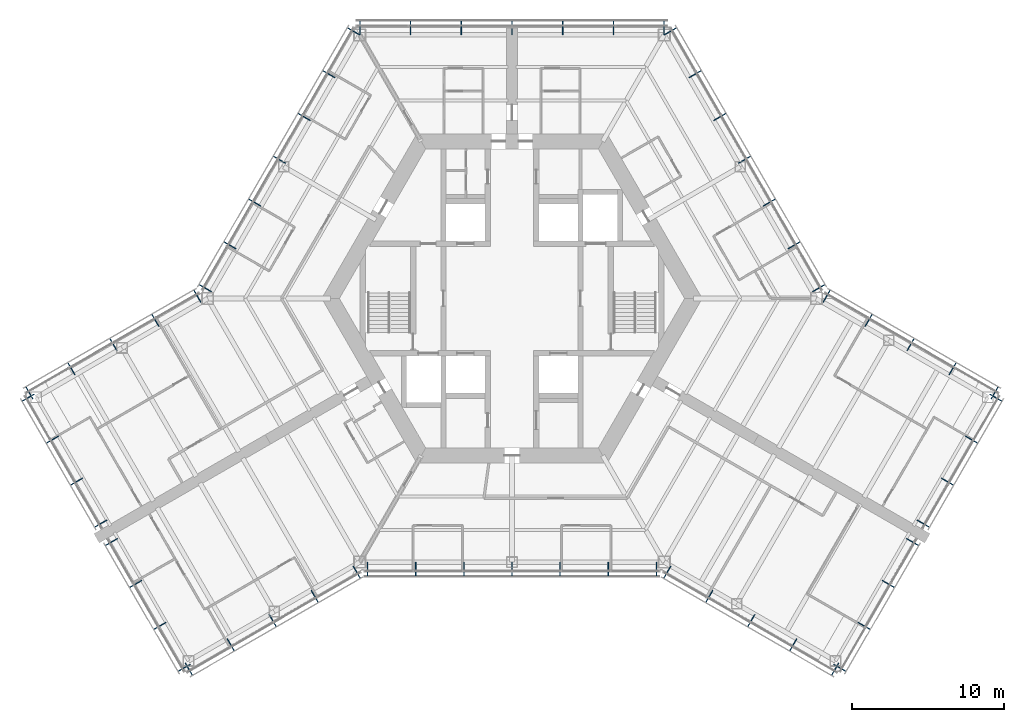
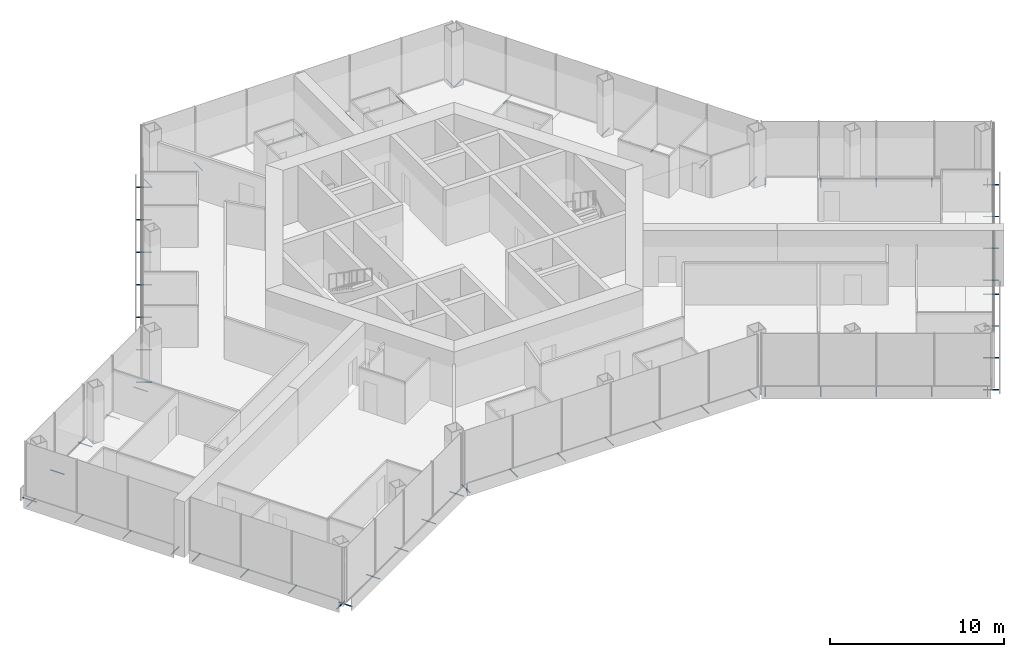
# One storey, part 16 of 18: 64 discrete accessories.
"""IFC4 building model written with IfcOpenShell, lengths in metres."""

from ifc_helpers import new_model, si_unit, direction, frame, origin, origin_2d, place, context, subcontext, project, spatial, hollow_circle, extrude, material, material_profile, profile_set, type_object, element, save


model = new_model("IFC4")

# Units and contexts
model_context = context("Model", 3, precision=1e-05, world=origin(), true_north=direction((0.0, 1.0)))
body_context = subcontext(model_context, "Body", "Model", "MODEL_VIEW")
ifc_project = project(units=[si_unit("LENGTHUNIT", "METRE"), si_unit("AREAUNIT", "SQUARE_METRE"), si_unit("VOLUMEUNIT", "CUBIC_METRE"), si_unit("PLANEANGLEUNIT", "RADIAN"), si_unit("MASSUNIT", "GRAM", prefix="KILO")], contexts=[model_context])

# Site, building, storey
site_placement = place(None, origin())
site = spatial("IfcSite", under=ifc_project, at=site_placement, CompositionType="ELEMENT")
building_placement = place(site_placement, origin())
building = spatial("IfcBuilding", under=site, at=building_placement, Name="Kasaneha Research Tower", CompositionType="ELEMENT")
storey_placement = place(building_placement, frame((0.0, 0.0, 187.699951171875)))
storey = spatial("IfcBuildingStorey", under=building, at=storey_placement, Name="L47", CompositionType="ELEMENT", Elevation=187.699951171875)

# Discrete accessories
ifc_material = material(Name="Steel STK400", Category="steel")
ifc_material_profile = material_profile(ifc_material, hollow_circle(Radius=0.0380859375, WallThickness=0.00390625, at=origin_2d()), Name="CHS-76.3x4.0")
ifc_profile_set = profile_set([ifc_material_profile], Name="Steel STK400")
discrete_accessory_type = type_object("IfcDiscreteAccessoryType", Name="Screen bracket CHS-76.3x4.0", PredefinedType="BRACKET", material=ifc_profile_set)
for number, where, z_axis, x_axis, name in (
    (1, (-9.4892578125, -17.320556640625, -0.300048828125), (0.0, -1.0, 0.0), (1.0, 0.0, 0.0), "Screen bracket 1"),
    (2, (-6.326171875, -17.320556640625, -0.300048828125), (0.0, -1.0, 0.0), (1.0, 0.0, 0.0), "Screen bracket 2"),
    (3, (-3.1630859375, -17.320556640625, -0.300048828125), (0.0, -1.0, 0.0), (1.0, 0.0, 0.0), "Screen bracket 3"),
    (4, (0.0, -17.320556640625, -0.300048828125), (0.0, -1.0, 0.0), (1.0, 0.0, 0.0), "Screen bracket 4"),
    (5, (3.1630859375, -17.320556640625, -0.300048828125), (0.0, -1.0, 0.0), (1.0, 0.0, 0.0), "Screen bracket 5"),
    (6, (6.326171875, -17.320556640625, -0.300048828125), (0.0, -1.0, 0.0), (1.0, 0.0, 0.0), "Screen bracket 6"),
    (7, (9.4892578125, -17.320556640625, -0.300048828125), (0.0, -1.0, 0.0), (1.0, 0.0, 0.0), "Screen bracket 7"),
    (8, (10.4423828125, -17.575927734375, -0.300048828125), (-0.500021113727, -0.866013213425, 0.0), (0.866013213425, -0.500021113727, 0.0), "Screen bracket 1"),
):
    element("IfcDiscreteAccessory", number, at=place(storey_placement, frame(where, z_axis=z_axis, x_axis=x_axis)), inside=storey, type_object=discrete_accessory_type, Name=name, PredefinedType="BRACKET", context=body_context, shape_type="SweptSolid", body=[
        extrude(hollow_circle(Radius=0.0380859375, WallThickness=0.00390625, at=origin_2d()), origin(), (0.0, 0.0, 1.0), 0.919921875),
    ])
discrete_accessory_1_placement = place(storey_placement, frame((13.200439453125, -19.168212890625, -0.300048828125), z_axis=(-0.499906209203, -0.866079547155, 0.0), x_axis=(0.866079547155, -0.499906209203, 0.0)))
element("IfcDiscreteAccessory", 9, at=discrete_accessory_1_placement, inside=storey, type_object=discrete_accessory_type, Name="Screen bracket 2", PredefinedType="BRACKET", context=body_context, shape_type="SweptSolid", body=[
    extrude(hollow_circle(Radius=0.0380859375, WallThickness=0.00390625, at=origin_2d()), origin(), (0.0, 0.0, 1.0), 0.920166015625),
])
discrete_accessory_2_placement = place(storey_placement, frame((15.95849609375, -20.7607421875, -0.300048828125), z_axis=(-0.500021113727, -0.866013213425, 0.0), x_axis=(0.866013213425, -0.500021113727, 0.0)))
element("IfcDiscreteAccessory", 10, at=discrete_accessory_2_placement, inside=storey, type_object=discrete_accessory_type, Name="Screen bracket 3", PredefinedType="BRACKET", context=body_context, shape_type="SweptSolid", body=[
    extrude(hollow_circle(Radius=0.0380859375, WallThickness=0.00390625, at=origin_2d()), origin(), (0.0, 0.0, 1.0), 0.919921875),
])
discrete_accessory_3_placement = place(storey_placement, frame((18.716796875, -22.35302734375, -0.300048828125), z_axis=(-0.500105201737, -0.865964657013, 0.0), x_axis=(0.865964657013, -0.500105201737, 0.0)))
element("IfcDiscreteAccessory", 11, at=discrete_accessory_3_placement, inside=storey, type_object=discrete_accessory_type, Name="Screen bracket 4", PredefinedType="BRACKET", context=body_context, shape_type="SweptSolid", body=[
    extrude(hollow_circle(Radius=0.0380859375, WallThickness=0.00390625, at=origin_2d()), origin(), (0.0, 0.0, 1.0), 0.920166015625),
])
discrete_accessory_4_placement = place(storey_placement, frame((21.474853515625, -23.945556640625, -0.300048828125), z_axis=(-0.500021113727, -0.866013213425, 0.0), x_axis=(0.866013213425, -0.500021113727, 0.0)))
element("IfcDiscreteAccessory", 12, at=discrete_accessory_4_placement, inside=storey, type_object=discrete_accessory_type, Name="Screen bracket 5", PredefinedType="BRACKET", context=body_context, shape_type="SweptSolid", body=[
    extrude(hollow_circle(Radius=0.0380859375, WallThickness=0.00390625, at=origin_2d()), origin(), (0.0, 0.0, 1.0), 0.919921875),
])
discrete_accessory_5_placement = place(storey_placement, frame((21.13330078125, -24.037109375, -0.300048828125), z_axis=(0.866079547155, -0.499906209203, 0.0), x_axis=(0.499906209203, 0.866079547155, 0.0)))
element("IfcDiscreteAccessory", 13, at=discrete_accessory_5_placement, inside=storey, type_object=discrete_accessory_type, Name="Screen bracket 1", PredefinedType="BRACKET", context=body_context, shape_type="SweptSolid", body=[
    extrude(hollow_circle(Radius=0.0380859375, WallThickness=0.00390625, at=origin_2d()), origin(), (0.0, 0.0, 1.0), 0.920166015625),
])
discrete_accessory_6_placement = place(storey_placement, frame((22.72509765625, -21.2802734375, -0.300048828125), z_axis=(0.866013213425, -0.500021113727, 0.0), x_axis=(0.500021113727, 0.866013213425, 0.0)))
element("IfcDiscreteAccessory", 14, at=discrete_accessory_6_placement, inside=storey, type_object=discrete_accessory_type, Name="Screen bracket 2", PredefinedType="BRACKET", context=body_context, shape_type="SweptSolid", body=[
    extrude(hollow_circle(Radius=0.0380859375, WallThickness=0.00390625, at=origin_2d()), origin(), (0.0, 0.0, 1.0), 0.919921875),
])
discrete_accessory_7_placement = place(storey_placement, frame((24.316650390625, -18.5234375, -0.300048828125), z_axis=(0.866079547155, -0.499906209203, 0.0), x_axis=(0.499906209203, 0.866079547155, 0.0)))
element("IfcDiscreteAccessory", 15, at=discrete_accessory_7_placement, inside=storey, type_object=discrete_accessory_type, Name="Screen bracket 3", PredefinedType="BRACKET", context=body_context, shape_type="SweptSolid", body=[
    extrude(hollow_circle(Radius=0.0380859375, WallThickness=0.00390625, at=origin_2d()), origin(), (0.0, 0.0, 1.0), 0.920166015625),
])
for number, where, z_axis, x_axis, name in (
    (16, (25.908447265625, -15.766357421875, -0.300048828125), (0.865898279276, -0.500220121494, 0.0), (0.500220121494, 0.865898279276, 0.0), "Screen bracket 4"),
    (17, (26.6083984375, -14.553955078125, -0.300048828125), (0.866013213425, -0.500021113727, 0.0), (0.500021113727, 0.866013213425, 0.0), "Screen bracket 1"),
):
    element("IfcDiscreteAccessory", number, at=place(storey_placement, frame(where, z_axis=z_axis, x_axis=x_axis)), inside=storey, type_object=discrete_accessory_type, Name=name, PredefinedType="BRACKET", context=body_context, shape_type="SweptSolid", body=[
        extrude(hollow_circle(Radius=0.0380859375, WallThickness=0.00390625, at=origin_2d()), origin(), (0.0, 0.0, 1.0), 0.919921875),
    ])
discrete_accessory_8_placement = place(storey_placement, frame((28.199951171875, -11.797119140625, -0.300048828125), z_axis=(0.866079547155, -0.499906209203, 0.0), x_axis=(0.499906209203, 0.866079547155, 0.0)))
element("IfcDiscreteAccessory", 18, at=discrete_accessory_8_placement, inside=storey, type_object=discrete_accessory_type, Name="Screen bracket 2", PredefinedType="BRACKET", context=body_context, shape_type="SweptSolid", body=[
    extrude(hollow_circle(Radius=0.0380859375, WallThickness=0.00390625, at=origin_2d()), origin(), (0.0, 0.0, 1.0), 0.920166015625),
])
discrete_accessory_9_placement = place(storey_placement, frame((29.791748046875, -9.040283203125, -0.300048828125), z_axis=(0.866013213425, -0.500021113727, 0.0), x_axis=(0.500021113727, 0.866013213425, 0.0)))
element("IfcDiscreteAccessory", 19, at=discrete_accessory_9_placement, inside=storey, type_object=discrete_accessory_type, Name="Screen bracket 3", PredefinedType="BRACKET", context=body_context, shape_type="SweptSolid", body=[
    extrude(hollow_circle(Radius=0.0380859375, WallThickness=0.00390625, at=origin_2d()), origin(), (0.0, 0.0, 1.0), 0.919921875),
])
discrete_accessory_10_placement = place(storey_placement, frame((31.38330078125, -6.283447265625, -0.300048828125), z_axis=(0.866079547155, -0.499906209203, 0.0), x_axis=(0.499906209203, 0.866079547155, 0.0)))
element("IfcDiscreteAccessory", 20, at=discrete_accessory_10_placement, inside=storey, type_object=discrete_accessory_type, Name="Screen bracket 4", PredefinedType="BRACKET", context=body_context, shape_type="SweptSolid", body=[
    extrude(hollow_circle(Radius=0.0380859375, WallThickness=0.00390625, at=origin_2d()), origin(), (0.0, 0.0, 1.0), 0.920166015625),
])
discrete_accessory_11_placement = place(storey_placement, frame((31.474853515625, -6.625, -0.300048828125), z_axis=(0.500021113727, 0.866013213425, 0.0), x_axis=(-0.866013213425, 0.500021113727, 0.0)))
element("IfcDiscreteAccessory", 21, at=discrete_accessory_11_placement, inside=storey, type_object=discrete_accessory_type, Name="Screen bracket 1", PredefinedType="BRACKET", context=body_context, shape_type="SweptSolid", body=[
    extrude(hollow_circle(Radius=0.0380859375, WallThickness=0.00390625, at=origin_2d()), origin(), (0.0, 0.0, 1.0), 0.919921875),
])
discrete_accessory_12_placement = place(storey_placement, frame((28.716796875, -5.03271484375, -0.300048828125), z_axis=(0.499906209203, 0.866079547155, 0.0), x_axis=(-0.866079547155, 0.499906209203, 0.0)))
element("IfcDiscreteAccessory", 22, at=discrete_accessory_12_placement, inside=storey, type_object=discrete_accessory_type, Name="Screen bracket 2", PredefinedType="BRACKET", context=body_context, shape_type="SweptSolid", body=[
    extrude(hollow_circle(Radius=0.0380859375, WallThickness=0.00390625, at=origin_2d()), origin(), (0.0, 0.0, 1.0), 0.920166015625),
])
discrete_accessory_13_placement = place(storey_placement, frame((25.95849609375, -3.440185546875, -0.300048828125), z_axis=(0.500220121494, 0.865898279276, 0.0), x_axis=(-0.865898279276, 0.500220121494, 0.0)))
element("IfcDiscreteAccessory", 23, at=discrete_accessory_13_placement, inside=storey, type_object=discrete_accessory_type, Name="Screen bracket 3", PredefinedType="BRACKET", context=body_context, shape_type="SweptSolid", body=[
    extrude(hollow_circle(Radius=0.0380859375, WallThickness=0.00390625, at=origin_2d()), origin(), (0.0, 0.0, 1.0), 0.919921875),
])
discrete_accessory_14_placement = place(storey_placement, frame((23.200439453125, -1.847900390625, -0.300048828125), z_axis=(0.499906209203, 0.866079547155, 0.0), x_axis=(-0.866079547155, 0.499906209203, 0.0)))
element("IfcDiscreteAccessory", 24, at=discrete_accessory_14_placement, inside=storey, type_object=discrete_accessory_type, Name="Screen bracket 4", PredefinedType="BRACKET", context=body_context, shape_type="SweptSolid", body=[
    extrude(hollow_circle(Radius=0.0380859375, WallThickness=0.00390625, at=origin_2d()), origin(), (0.0, 0.0, 1.0), 0.920166015625),
])
for number, where, z_axis, x_axis, name in (
    (25, (20.4423828125, -0.25537109375, -0.300048828125), (0.500021113727, 0.866013213425, 0.0), (-0.866013213425, 0.500021113727, 0.0), "Screen bracket 5"),
    (26, (19.74462890625, 0.4423828125, -0.300048828125), (0.866013213425, 0.500021113727, 0.0), (-0.500021113727, 0.866013213425, 0.0), "Screen bracket 1"),
    (27, (18.120849609375, 3.2548828125, -0.300048828125), (0.866013213425, 0.500021113727, 0.0), (-0.500021113727, 0.866013213425, 0.0), "Screen bracket 2"),
    (28, (16.4970703125, 6.0673828125, -0.300048828125), (0.866013213425, 0.500021113727, 0.0), (-0.500021113727, 0.866013213425, 0.0), "Screen bracket 3"),
    (29, (14.873291015625, 8.8798828125, -0.300048828125), (0.866013213425, 0.500021113727, 0.0), (-0.500021113727, 0.866013213425, 0.0), "Screen bracket 4"),
    (30, (13.24951171875, 11.6923828125, -0.300048828125), (0.866013213425, 0.500021113727, 0.0), (-0.500021113727, 0.866013213425, 0.0), "Screen bracket 5"),
):
    element("IfcDiscreteAccessory", number, at=place(storey_placement, frame(where, z_axis=z_axis, x_axis=x_axis)), inside=storey, type_object=discrete_accessory_type, Name=name, PredefinedType="BRACKET", context=body_context, shape_type="SweptSolid", body=[
        extrude(hollow_circle(Radius=0.0380859375, WallThickness=0.00390625, at=origin_2d()), origin(), (0.0, 0.0, 1.0), 0.919921875),
    ])
for number, where, z_axis, x_axis, name in (
    (31, (11.62548828125, 14.5048828125, -0.300048828125), (0.866079547155, 0.499906209203, 0.0), (-0.499906209203, 0.866079547155, 0.0), "Screen bracket 6"),
    (32, (10.001708984375, 17.3173828125, -0.300048828125), (0.866079547155, 0.499906209203, 0.0), (-0.499906209203, 0.866079547155, 0.0), "Screen bracket 7"),
):
    element("IfcDiscreteAccessory", number, at=place(storey_placement, frame(where, z_axis=z_axis, x_axis=x_axis)), inside=storey, type_object=discrete_accessory_type, Name=name, PredefinedType="BRACKET", context=body_context, shape_type="SweptSolid", body=[
        extrude(hollow_circle(Radius=0.0380859375, WallThickness=0.00390625, at=origin_2d()), origin(), (0.0, 0.0, 1.0), 0.920166015625),
    ])
for number, where, z_axis, x_axis, name in (
    (33, (9.996337890625, 17.320556640625, -0.300048828125), (0.0, 1.0, 0.0), (-1.0, 0.0, 0.0), "Screen bracket 1"),
    (34, (6.664306640625, 17.320556640625, -0.300048828125), (0.0, 1.0, 0.0), (-1.0, 0.0, 0.0), "Screen bracket 2"),
    (35, (3.33203125, 17.320556640625, -0.300048828125), (0.0, 1.0, 0.0), (-1.0, 0.0, 0.0), "Screen bracket 3"),
    (36, (0.0, 17.320556640625, -0.300048828125), (0.0, 1.0, 0.0), (-1.0, 0.0, 0.0), "Screen bracket 4"),
    (37, (-3.33203125, 17.320556640625, -0.300048828125), (0.0, 1.0, 0.0), (-1.0, 0.0, 0.0), "Screen bracket 5"),
    (38, (-6.664306640625, 17.320556640625, -0.300048828125), (0.0, 1.0, 0.0), (-1.0, 0.0, 0.0), "Screen bracket 6"),
    (39, (-9.996337890625, 17.320556640625, -0.300048828125), (0.0, 1.0, 0.0), (-1.0, 0.0, 0.0), "Screen bracket 7"),
):
    element("IfcDiscreteAccessory", number, at=place(storey_placement, frame(where, z_axis=z_axis, x_axis=x_axis)), inside=storey, type_object=discrete_accessory_type, Name=name, PredefinedType="BRACKET", context=body_context, shape_type="SweptSolid", body=[
        extrude(hollow_circle(Radius=0.0380859375, WallThickness=0.00390625, at=origin_2d()), origin(), (0.0, 0.0, 1.0), 0.919921875),
    ])
for number, where, z_axis, x_axis, name in (
    (40, (-10.001708984375, 17.3173828125, -0.300048828125), (-0.866079547155, 0.499906209203, 0.0), (-0.499906209203, -0.866079547155, 0.0), "Screen bracket 1"),
    (41, (-11.62548828125, 14.5048828125, -0.300048828125), (-0.866079547155, 0.499906209203, 0.0), (-0.499906209203, -0.866079547155, 0.0), "Screen bracket 2"),
):
    element("IfcDiscreteAccessory", number, at=place(storey_placement, frame(where, z_axis=z_axis, x_axis=x_axis)), inside=storey, type_object=discrete_accessory_type, Name=name, PredefinedType="BRACKET", context=body_context, shape_type="SweptSolid", body=[
        extrude(hollow_circle(Radius=0.0380859375, WallThickness=0.00390625, at=origin_2d()), origin(), (0.0, 0.0, 1.0), 0.920166015625),
    ])
for number, where, z_axis, x_axis, name in (
    (42, (-13.24951171875, 11.6923828125, -0.300048828125), (-0.866013213425, 0.500021113727, 0.0), (-0.500021113727, -0.866013213425, 0.0), "Screen bracket 3"),
    (43, (-14.873291015625, 8.8798828125, -0.300048828125), (-0.866013213425, 0.500021113727, 0.0), (-0.500021113727, -0.866013213425, 0.0), "Screen bracket 4"),
    (44, (-16.4970703125, 6.0673828125, -0.300048828125), (-0.866013213425, 0.500021113727, 0.0), (-0.500021113727, -0.866013213425, 0.0), "Screen bracket 5"),
    (45, (-18.120849609375, 3.2548828125, -0.300048828125), (-0.866013213425, 0.500021113727, 0.0), (-0.500021113727, -0.866013213425, 0.0), "Screen bracket 6"),
    (46, (-19.74462890625, 0.4423828125, -0.300048828125), (-0.866013213425, 0.500021113727, 0.0), (-0.500021113727, -0.866013213425, 0.0), "Screen bracket 7"),
    (47, (-20.4423828125, -0.25537109375, -0.300048828125), (-0.500021113727, 0.866013213425, 0.0), (-0.866013213425, -0.500021113727, 0.0), "Screen bracket 1"),
):
    element("IfcDiscreteAccessory", number, at=place(storey_placement, frame(where, z_axis=z_axis, x_axis=x_axis)), inside=storey, type_object=discrete_accessory_type, Name=name, PredefinedType="BRACKET", context=body_context, shape_type="SweptSolid", body=[
        extrude(hollow_circle(Radius=0.0380859375, WallThickness=0.00390625, at=origin_2d()), origin(), (0.0, 0.0, 1.0), 0.919921875),
    ])
discrete_accessory_15_placement = place(storey_placement, frame((-23.200439453125, -1.847900390625, -0.300048828125), z_axis=(-0.499906209203, 0.866079547155, 0.0), x_axis=(-0.866079547155, -0.499906209203, 0.0)))
element("IfcDiscreteAccessory", 48, at=discrete_accessory_15_placement, inside=storey, type_object=discrete_accessory_type, Name="Screen bracket 2", PredefinedType="BRACKET", context=body_context, shape_type="SweptSolid", body=[
    extrude(hollow_circle(Radius=0.0380859375, WallThickness=0.00390625, at=origin_2d()), origin(), (0.0, 0.0, 1.0), 0.920166015625),
])
discrete_accessory_16_placement = place(storey_placement, frame((-25.95849609375, -3.440185546875, -0.300048828125), z_axis=(-0.500220121494, 0.865898279276, 0.0), x_axis=(-0.865898279276, -0.500220121494, 0.0)))
element("IfcDiscreteAccessory", 49, at=discrete_accessory_16_placement, inside=storey, type_object=discrete_accessory_type, Name="Screen bracket 3", PredefinedType="BRACKET", context=body_context, shape_type="SweptSolid", body=[
    extrude(hollow_circle(Radius=0.0380859375, WallThickness=0.00390625, at=origin_2d()), origin(), (0.0, 0.0, 1.0), 0.919921875),
])
discrete_accessory_17_placement = place(storey_placement, frame((-28.716796875, -5.03271484375, -0.300048828125), z_axis=(-0.499906209203, 0.866079547155, 0.0), x_axis=(-0.866079547155, -0.499906209203, 0.0)))
element("IfcDiscreteAccessory", 50, at=discrete_accessory_17_placement, inside=storey, type_object=discrete_accessory_type, Name="Screen bracket 4", PredefinedType="BRACKET", context=body_context, shape_type="SweptSolid", body=[
    extrude(hollow_circle(Radius=0.0380859375, WallThickness=0.00390625, at=origin_2d()), origin(), (0.0, 0.0, 1.0), 0.920166015625),
])
discrete_accessory_18_placement = place(storey_placement, frame((-31.474853515625, -6.625, -0.300048828125), z_axis=(-0.500021113727, 0.866013213425, 0.0), x_axis=(-0.866013213425, -0.500021113727, 0.0)))
element("IfcDiscreteAccessory", 51, at=discrete_accessory_18_placement, inside=storey, type_object=discrete_accessory_type, Name="Screen bracket 5", PredefinedType="BRACKET", context=body_context, shape_type="SweptSolid", body=[
    extrude(hollow_circle(Radius=0.0380859375, WallThickness=0.00390625, at=origin_2d()), origin(), (0.0, 0.0, 1.0), 0.919921875),
])
discrete_accessory_19_placement = place(storey_placement, frame((-31.38330078125, -6.283447265625, -0.300048828125), z_axis=(-0.866079547155, -0.499906209203, 0.0), x_axis=(0.499906209203, -0.866079547155, 0.0)))
element("IfcDiscreteAccessory", 52, at=discrete_accessory_19_placement, inside=storey, type_object=discrete_accessory_type, Name="Screen bracket 1", PredefinedType="BRACKET", context=body_context, shape_type="SweptSolid", body=[
    extrude(hollow_circle(Radius=0.0380859375, WallThickness=0.00390625, at=origin_2d()), origin(), (0.0, 0.0, 1.0), 0.920166015625),
])
discrete_accessory_20_placement = place(storey_placement, frame((-29.791748046875, -9.040283203125, -0.300048828125), z_axis=(-0.866013213425, -0.500021113727, 0.0), x_axis=(0.500021113727, -0.866013213425, 0.0)))
element("IfcDiscreteAccessory", 53, at=discrete_accessory_20_placement, inside=storey, type_object=discrete_accessory_type, Name="Screen bracket 2", PredefinedType="BRACKET", context=body_context, shape_type="SweptSolid", body=[
    extrude(hollow_circle(Radius=0.0380859375, WallThickness=0.00390625, at=origin_2d()), origin(), (0.0, 0.0, 1.0), 0.919921875),
])
discrete_accessory_21_placement = place(storey_placement, frame((-28.199951171875, -11.797119140625, -0.300048828125), z_axis=(-0.866079547155, -0.499906209203, 0.0), x_axis=(0.499906209203, -0.866079547155, 0.0)))
element("IfcDiscreteAccessory", 54, at=discrete_accessory_21_placement, inside=storey, type_object=discrete_accessory_type, Name="Screen bracket 3", PredefinedType="BRACKET", context=body_context, shape_type="SweptSolid", body=[
    extrude(hollow_circle(Radius=0.0380859375, WallThickness=0.00390625, at=origin_2d()), origin(), (0.0, 0.0, 1.0), 0.920166015625),
])
for number, where, z_axis, x_axis, name in (
    (55, (-26.6083984375, -14.553955078125, -0.300048828125), (-0.866013213425, -0.500021113727, 0.0), (0.500021113727, -0.866013213425, 0.0), "Screen bracket 4"),
    (56, (-25.908447265625, -15.766357421875, -0.300048828125), (-0.865898279276, -0.500220121494, 0.0), (0.500220121494, -0.865898279276, 0.0), "Screen bracket 1"),
):
    element("IfcDiscreteAccessory", number, at=place(storey_placement, frame(where, z_axis=z_axis, x_axis=x_axis)), inside=storey, type_object=discrete_accessory_type, Name=name, PredefinedType="BRACKET", context=body_context, shape_type="SweptSolid", body=[
        extrude(hollow_circle(Radius=0.0380859375, WallThickness=0.00390625, at=origin_2d()), origin(), (0.0, 0.0, 1.0), 0.919921875),
    ])
discrete_accessory_22_placement = place(storey_placement, frame((-24.316650390625, -18.5234375, -0.300048828125), z_axis=(-0.866079547155, -0.499906209203, 0.0), x_axis=(0.499906209203, -0.866079547155, 0.0)))
element("IfcDiscreteAccessory", 57, at=discrete_accessory_22_placement, inside=storey, type_object=discrete_accessory_type, Name="Screen bracket 2", PredefinedType="BRACKET", context=body_context, shape_type="SweptSolid", body=[
    extrude(hollow_circle(Radius=0.0380859375, WallThickness=0.00390625, at=origin_2d()), origin(), (0.0, 0.0, 1.0), 0.920166015625),
])
discrete_accessory_23_placement = place(storey_placement, frame((-22.72509765625, -21.2802734375, -0.300048828125), z_axis=(-0.866013213425, -0.500021113727, 0.0), x_axis=(0.500021113727, -0.866013213425, 0.0)))
element("IfcDiscreteAccessory", 58, at=discrete_accessory_23_placement, inside=storey, type_object=discrete_accessory_type, Name="Screen bracket 3", PredefinedType="BRACKET", context=body_context, shape_type="SweptSolid", body=[
    extrude(hollow_circle(Radius=0.0380859375, WallThickness=0.00390625, at=origin_2d()), origin(), (0.0, 0.0, 1.0), 0.919921875),
])
discrete_accessory_24_placement = place(storey_placement, frame((-21.13330078125, -24.037109375, -0.300048828125), z_axis=(-0.866079547155, -0.499906209203, 0.0), x_axis=(0.499906209203, -0.866079547155, 0.0)))
element("IfcDiscreteAccessory", 59, at=discrete_accessory_24_placement, inside=storey, type_object=discrete_accessory_type, Name="Screen bracket 4", PredefinedType="BRACKET", context=body_context, shape_type="SweptSolid", body=[
    extrude(hollow_circle(Radius=0.0380859375, WallThickness=0.00390625, at=origin_2d()), origin(), (0.0, 0.0, 1.0), 0.920166015625),
])
discrete_accessory_25_placement = place(storey_placement, frame((-21.474853515625, -23.945556640625, -0.300048828125), z_axis=(0.500021113727, -0.866013213425, 0.0), x_axis=(0.866013213425, 0.500021113727, 0.0)))
element("IfcDiscreteAccessory", 60, at=discrete_accessory_25_placement, inside=storey, type_object=discrete_accessory_type, Name="Screen bracket 1", PredefinedType="BRACKET", context=body_context, shape_type="SweptSolid", body=[
    extrude(hollow_circle(Radius=0.0380859375, WallThickness=0.00390625, at=origin_2d()), origin(), (0.0, 0.0, 1.0), 0.919921875),
])
discrete_accessory_26_placement = place(storey_placement, frame((-18.716796875, -22.35302734375, -0.300048828125), z_axis=(0.500105201737, -0.865964657013, 0.0), x_axis=(0.865964657013, 0.500105201737, 0.0)))
element("IfcDiscreteAccessory", 61, at=discrete_accessory_26_placement, inside=storey, type_object=discrete_accessory_type, Name="Screen bracket 2", PredefinedType="BRACKET", context=body_context, shape_type="SweptSolid", body=[
    extrude(hollow_circle(Radius=0.0380859375, WallThickness=0.00390625, at=origin_2d()), origin(), (0.0, 0.0, 1.0), 0.920166015625),
])
discrete_accessory_27_placement = place(storey_placement, frame((-15.95849609375, -20.7607421875, -0.300048828125), z_axis=(0.500021113727, -0.866013213425, 0.0), x_axis=(0.866013213425, 0.500021113727, 0.0)))
element("IfcDiscreteAccessory", 62, at=discrete_accessory_27_placement, inside=storey, type_object=discrete_accessory_type, Name="Screen bracket 3", PredefinedType="BRACKET", context=body_context, shape_type="SweptSolid", body=[
    extrude(hollow_circle(Radius=0.0380859375, WallThickness=0.00390625, at=origin_2d()), origin(), (0.0, 0.0, 1.0), 0.919921875),
])
discrete_accessory_28_placement = place(storey_placement, frame((-13.200439453125, -19.168212890625, -0.300048828125), z_axis=(0.499906209203, -0.866079547155, 0.0), x_axis=(0.866079547155, 0.499906209203, 0.0)))
element("IfcDiscreteAccessory", 63, at=discrete_accessory_28_placement, inside=storey, type_object=discrete_accessory_type, Name="Screen bracket 4", PredefinedType="BRACKET", context=body_context, shape_type="SweptSolid", body=[
    extrude(hollow_circle(Radius=0.0380859375, WallThickness=0.00390625, at=origin_2d()), origin(), (0.0, 0.0, 1.0), 0.920166015625),
])
discrete_accessory_29_placement = place(storey_placement, frame((-10.4423828125, -17.575927734375, -0.300048828125), z_axis=(0.500021113727, -0.866013213425, 0.0), x_axis=(0.866013213425, 0.500021113727, 0.0)))
element("IfcDiscreteAccessory", 64, at=discrete_accessory_29_placement, inside=storey, type_object=discrete_accessory_type, Name="Screen bracket 5", PredefinedType="BRACKET", context=body_context, shape_type="SweptSolid", body=[
    extrude(hollow_circle(Radius=0.0380859375, WallThickness=0.00390625, at=origin_2d()), origin(), (0.0, 0.0, 1.0), 0.919921875),
])

save(model, "model.ifc")
